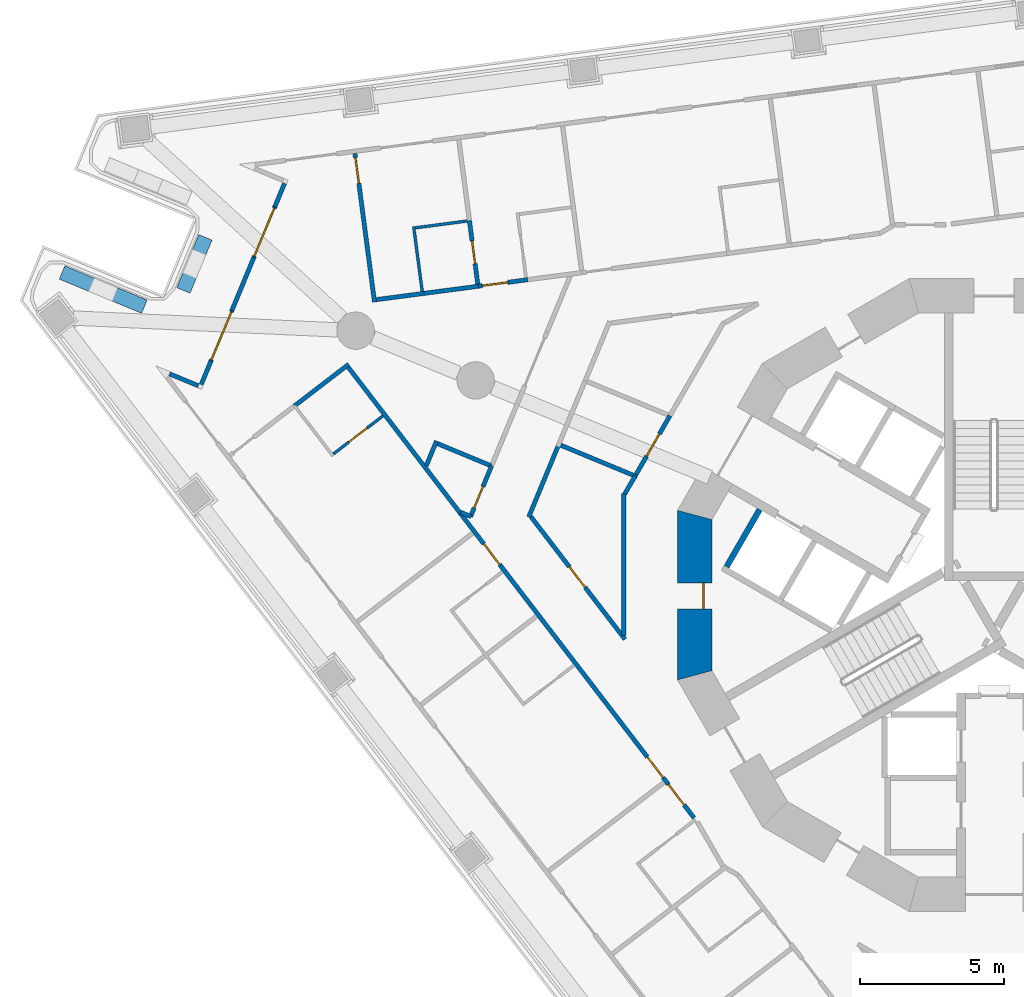
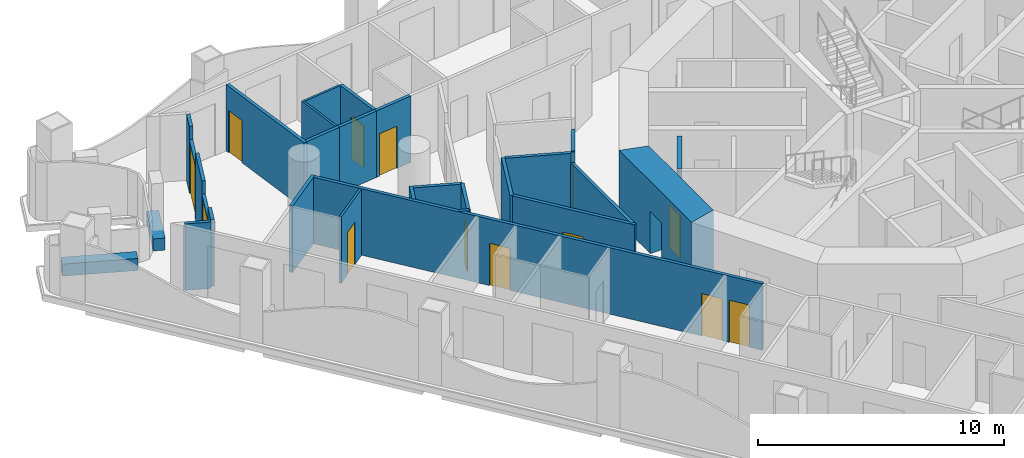
# One storey, part 6 of 19: 30 walls, 13 doors, 13 openings.
"""IFC4 building model written with IfcOpenShell, lengths in metres."""

from ifc_helpers import new_model, si_unit, direction, frame, frame_2d, origin, place, context, subcontext, project, spatial, polyline, rectangle, outline, extrude, material, layer, layer_set, type_object, element, fill, save


model = new_model("IFC4")

# Units and contexts
model_context = context("Model", 3, precision=1e-05, world=origin(), true_north=direction((0.0, 1.0)))
body_context = subcontext(model_context, "Body", "Model", "MODEL_VIEW")
ifc_project = project(units=[si_unit("LENGTHUNIT", "METRE"), si_unit("AREAUNIT", "SQUARE_METRE"), si_unit("VOLUMEUNIT", "CUBIC_METRE"), si_unit("PLANEANGLEUNIT", "RADIAN"), si_unit("MASSUNIT", "GRAM", prefix="KILO")], contexts=[model_context])

# Site, building, storey
site_placement = place(None, origin())
site = spatial("IfcSite", under=ifc_project, at=site_placement, CompositionType="ELEMENT")
building_placement = place(site_placement, origin())
building = spatial("IfcBuilding", under=site, at=building_placement, Name="Trine Commons Tower", CompositionType="ELEMENT")
storey_placement = place(building_placement, frame((0.0, 0.0, 75.60009765625)))
storey = spatial("IfcBuildingStorey", under=building, at=storey_placement, Name="L18", CompositionType="ELEMENT", Elevation=75.60009765625)

# Walls
ifc_material_1 = material(Name="Aluminium-framed insulated wall panel", Category="aluminium")
ifc_layer_1 = layer(ifc_material_1, 0.14990234375)
ifc_layer_set_1 = layer_set([ifc_layer_1], Name="Aluminium-framed insulated wall panel")
wall_type_1 = type_object("IfcWallType", Name="Glazed frame wall 150, EI 60", PredefinedType="SOLIDWALL", material=ifc_layer_set_1)
wall_1_placement = place(storey_placement, frame((51.175537109375, 70.256103515625, 0.0), z_axis=(0.0, 0.0, 1.0), x_axis=(0.923901801611, -0.382629665579, 0.0)))
element("IfcWall", 1, at=wall_1_placement, inside=storey, type_object=wall_type_1, Name="Glazed frame wall R1", PredefinedType="SOLIDWALL", context=body_context, shape_type="SweptSolid", body=[
    extrude(outline(polyline([(0.1494140625, 0.074951171875), (0.1494140625, -0.074951171875), (1.235107421875, -0.074951171875), (1.235107421875, 0.074951171875), (0.1494140625, 0.074951171875)])), origin(), (0.0, 0.0, 1.0), 3.2998046875),
])
wall_2_placement = place(storey_placement, frame((52.372314453125, 69.722412109375, 0.0), z_axis=(0.0, 0.0, 1.0), x_axis=(0.382603377961, 0.923912688068, 0.0)))
element("IfcWall", 2, at=wall_2_placement, inside=storey, type_object=wall_type_1, Name="Glazed frame wall P1.1", PredefinedType="SOLIDWALL", context=body_context, shape_type="SweptSolid", body=[
    extrude(outline(polyline([(0.110107421875, -0.074951171875), (1.0, -0.074951171875), (1.0, 0.074951171875), (0.110107421875, 0.074951171875), (0.110107421875, -0.074951171875)])), origin(), (0.0, 0.0, 1.0), 3.2998046875),
])

# Wall, opening, door
wall_3_placement = place(storey_placement, frame((52.7548828125, 70.646240234375, 0.0), z_axis=(0.0, 0.0, 1.0), x_axis=(0.382771661121, 0.923842982028, 0.0)))
wall_3 = element("IfcWall", 3, at=wall_3_placement, inside=storey, type_object=wall_type_1, Name="Glazed frame wall P1.2", PredefinedType="SOLIDWALL", context=body_context, shape_type="SweptSolid", body=[
    extrude(outline(polyline([(0.0, -0.074951171875), (1.89990234375, -0.074951171875), (1.89990234375, 0.074951171875), (0.0, 0.074951171875), (0.0, -0.074951171875)])), origin(), (0.0, 0.0, 1.0), 2.64990234375),
])
opening_1_placement = place(wall_3_placement, frame((0.050048828125, 0.0, 0.0)))
opening_1 = element("IfcOpeningElement", 4, at=opening_1_placement, cuts=wall_3, Name="Opening BD-2P1-01", PredefinedType="OPENING", context=body_context, shape_type="SweptSolid", body=[
    extrude(rectangle(XDim=1.800048828125, YDim=2.60009765625, at=frame_2d((0.89990234375, 1.300048828125))), frame((0.0, 0.0849609375, 0.0), z_axis=(0.0, -1.0, 0.0), x_axis=(1.0, 0.0, 0.0)), (0.0, 0.0, 1.0), 0.169921875),
])
ifc_material_2 = material(Name="Anodised aluminium frame with double glazing", Category="aluminium")
door_type_1 = type_object("IfcDoorType", Name="Sliding loggia door 1800x2600", OperationType="SLIDING_TO_LEFT", PredefinedType="DOOR", material=ifc_material_2)
door_1_placement = place(opening_1_placement, origin())
door_1 = element("IfcDoor", 5, at=door_1_placement, inside=storey, type_object=door_type_1, Name="Loggia door P1 1", OperationType="SLIDING_TO_LEFT", OverallHeight=2.60009765625, OverallWidth=1.800048828125, PredefinedType="DOOR", context=body_context, shape_type="SweptSolid", body=[
    extrude(rectangle(XDim=1.800048828125, YDim=2.60009765625, at=frame_2d((0.89990234375, 1.300048828125))), frame((0.0, 0.02490234375, 0.0), z_axis=(0.0, -1.0, 0.0), x_axis=(1.0, 0.0, 0.0)), (0.0, 0.0, 1.0), 0.050048828125),
])
fill(opening_1, door_1)

# Wall
wall_4_placement = place(storey_placement, frame((53.482177734375, 72.401611328125, 0.0), z_axis=(0.0, 0.0, 1.0), x_axis=(0.382664423091, 0.923887406181, 0.0)))
element("IfcWall", 6, at=wall_4_placement, inside=storey, type_object=wall_type_1, Name="Glazed frame wall P1.3", PredefinedType="SOLIDWALL", context=body_context, shape_type="SweptSolid", body=[
    extrude(outline(polyline([(0.0, -0.074951171875), (2.0, -0.074951171875), (2.0, 0.074951171875), (0.0, 0.074951171875), (0.0, -0.074951171875)])), origin(), (0.0, 0.0, 1.0), 3.2998046875),
])

# Wall, opening, door
wall_5_placement = place(storey_placement, frame((54.24755859375, 74.24951171875, 0.0), z_axis=(0.0, 0.0, 1.0), x_axis=(0.382661988648, 0.923888414498, 0.0)))
wall_5 = element("IfcWall", 7, at=wall_5_placement, inside=storey, type_object=wall_type_1, Name="Glazed frame wall P1.4", PredefinedType="SOLIDWALL", context=body_context, shape_type="SweptSolid", body=[
    extrude(outline(polyline([(0.0, -0.074951171875), (1.89990234375, -0.074951171875), (1.89990234375, 0.074951171875), (0.0, 0.074951171875), (0.0, -0.074951171875)])), origin(), (0.0, 0.0, 1.0), 2.64990234375),
])
opening_2_placement = place(wall_5_placement, frame((0.050048828125, 0.0, 0.0)))
opening_2 = element("IfcOpeningElement", 8, at=opening_2_placement, cuts=wall_5, Name="Opening BD-2P1-02", PredefinedType="OPENING", context=body_context, shape_type="SweptSolid", body=[
    extrude(rectangle(XDim=1.800048828125, YDim=2.60009765625, at=frame_2d((0.89990234375, 1.300048828125))), frame((0.0, 0.0849609375, 0.0), z_axis=(0.0, -1.0, 0.0), x_axis=(1.0, 0.0, 0.0)), (0.0, 0.0, 1.0), 0.169921875),
])
door_2_placement = place(opening_2_placement, origin())
door_2 = element("IfcDoor", 9, at=door_2_placement, inside=storey, type_object=door_type_1, Name="Loggia door P1 2", OperationType="SLIDING_TO_LEFT", OverallHeight=2.60009765625, OverallWidth=1.800048828125, PredefinedType="DOOR", context=body_context, shape_type="SweptSolid", body=[
    extrude(rectangle(XDim=1.800048828125, YDim=2.60009765625, at=frame_2d((0.89990234375, 1.300048828125))), frame((0.0, 0.02490234375, 0.0), z_axis=(0.0, -1.0, 0.0), x_axis=(1.0, 0.0, 0.0)), (0.0, 0.0, 1.0), 0.050048828125),
])
fill(opening_2, door_2)

# Walls
wall_6_placement = place(storey_placement, frame((54.974609375, 76.0048828125, 0.0), z_axis=(0.0, 0.0, 1.0), x_axis=(0.382811769845, 0.923826362943, 0.0)))
element("IfcWall", 10, at=wall_6_placement, inside=storey, type_object=wall_type_1, Name="Glazed frame wall P1.5", PredefinedType="SOLIDWALL", context=body_context, shape_type="SweptSolid", body=[
    extrude(outline(polyline([(0.889892578125, 0.074951171875), (0.0, 0.074951171875), (0.0, -0.074951171875), (0.889892578125, -0.074951171875), (0.889892578125, 0.074951171875)])), origin(), (0.0, 0.0, 1.0), 3.2998046875),
])
ifc_material_3 = material(Name="Planter trough, precast concrete C40/50", Category="concrete")
ifc_layer_2 = layer(ifc_material_3, 0.5)
ifc_layer_set_2 = layer_set([ifc_layer_2], Name="Planter trough, precast concrete C40/50")
wall_type_2 = type_object("IfcWallType", Name="Planter trough 500x600", PredefinedType="PARAPET", material=ifc_layer_set_2)
wall_7_placement = place(storey_placement, frame((47.5732421875, 73.723388671875, 0.0), z_axis=(0.0, 0.0, 1.0), x_axis=(0.923883411188, -0.382674068277, 0.0)))
element("IfcWall", 11, at=wall_7_placement, inside=storey, type_object=wall_type_2, Name="Planter 1", PredefinedType="PARAPET", context=body_context, shape_type="SweptSolid", body=[
    extrude(rectangle(XDim=3.099853515625, YDim=0.5, at=frame_2d((1.5498046875, 0.0))), origin(), (0.0, 0.0, 1.0), 0.599853515625),
])
wall_8_placement = place(storey_placement, frame((51.796142578125, 73.10009765625, 0.0), z_axis=(0.0, 0.0, 1.0), x_axis=(0.382603377961, 0.923912688068, 0.0)))
element("IfcWall", 12, at=wall_8_placement, inside=storey, type_object=wall_type_2, Name="Planter 2", PredefinedType="PARAPET", context=body_context, shape_type="SweptSolid", body=[
    extrude(rectangle(XDim=1.999755859375, YDim=0.5, at=frame_2d((1.0, 0.0))), origin(), (0.0, 0.0, 1.0), 0.599853515625),
])

# Wall, opening, door
ifc_material_4 = material(Name="Concrete C80/95", Category="concrete")
ifc_layer_3 = layer(ifc_material_4, 1.199951171875)
ifc_layer_set_3 = layer_set([ifc_layer_3], Name="Concrete C80/95")
wall_type_3 = type_object("IfcWallType", Name="RC shear wall 1200 mm, C80/95", PredefinedType="SHEAR", material=ifc_layer_set_3)
wall_9_placement = place(storey_placement, frame((69.58837890625, 65.450439453125, 0.0), z_axis=(0.0, 0.0, 1.0), x_axis=(0.0, -1.0, 0.0)))
wall_9 = element("IfcWall", 13, at=wall_9_placement, inside=storey, type_object=wall_type_3, Name="Core wall CWB-07 L18", PredefinedType="SHEAR", context=body_context, shape_type="SweptSolid", body=[
    extrude(outline(polyline([(0.0, -0.60009765625), (5.90087890625, -0.60009765625), (5.57958984375, 0.60009765625), (0.321533203125, 0.60009765625), (0.0, -0.60009765625)])), origin(), (0.0, 0.0, 1.0), 3.599853515625),
])
opening_3_placement = place(wall_9_placement, frame((2.525390625, 0.0, 0.0)))
opening_3 = element("IfcOpeningElement", 14, at=opening_3_placement, cuts=wall_9, Name="Opening K05.13", PredefinedType="OPENING", context=body_context, shape_type="SweptSolid", body=[
    extrude(rectangle(XDim=0.89990234375, YDim=2.10009765625, at=frame_2d((0.449951171875, 1.050048828125))), frame((0.0, 0.60986328125, 0.0), z_axis=(0.0, -1.0, 0.0), x_axis=(1.0, 0.0, 0.0)), (0.0, 0.0, 1.0), 1.219970703125),
])
ifc_material_5 = material(Name="Steel door leaf, fire-rated", Category="steel")
door_type_2 = type_object("IfcDoorType", Name="Core room door, single leaf 900 x 2100, FD30S", OperationType="SINGLE_SWING_LEFT", PredefinedType="DOOR", material=ifc_material_5)
door_3_placement = place(opening_3_placement, origin())
door_3 = element("IfcDoor", 15, at=door_3_placement, inside=storey, type_object=door_type_2, Name="Door to Pantry L18", OperationType="SINGLE_SWING_RIGHT", OverallHeight=2.10009765625, OverallWidth=0.89990234375, PredefinedType="DOOR", context=body_context, shape_type="SweptSolid", body=[
    extrude(rectangle(XDim=0.89990234375, YDim=2.10009765625, at=frame_2d((0.449951171875, 1.050048828125))), frame((0.0, 0.3251953125, 0.0), z_axis=(0.0, -1.0, 0.0), x_axis=(1.0, 0.0, 0.0)), (0.0, 0.0, 1.0), 0.050048828125),
])
fill(opening_3, door_3)

# Walls
ifc_material_6 = material(Name="Fire-rated gypsum shaft wall system")
ifc_layer_4 = layer(ifc_material_6, 0.199951171875)
ifc_layer_set_4 = layer_set([ifc_layer_4], Name="Fire-rated gypsum shaft wall system")
wall_type_4 = type_object("IfcWallType", Name="Shaft wall 200 mm, EI 120", PredefinedType="PARTITIONING", material=ifc_layer_set_4)
wall_10_placement = place(storey_placement, frame((71.844970703125, 65.47607421875, 0.0), z_axis=(0.0, 0.0, 1.0), x_axis=(-0.500136062276, -0.86594683394, 0.0)))
element("IfcWall", 16, at=wall_10_placement, inside=storey, type_object=wall_type_4, Name="Shaft wall L18", PredefinedType="PARTITIONING", context=body_context, shape_type="SweptSolid", body=[
    extrude(rectangle(XDim=2.299072265625, YDim=0.199951171875, at=frame_2d((1.1494140625, 0.0))), origin(), (0.0, 0.0, 1.0), 3.2998046875),
])
ifc_material_7 = material(Name="Gypsum plasterboard on steel stud", Category="steel")
ifc_layer_5 = layer(ifc_material_7, 0.14990234375)
ifc_layer_set_5 = layer_set([ifc_layer_5], Name="Gypsum plasterboard on steel stud")
wall_type_5 = type_object("IfcWallType", Name="Unit and corridor wall 150 mm, EI 60", PredefinedType="PARTITIONING", material=ifc_layer_set_5)
wall_11_placement = place(storey_placement, frame((55.660888671875, 69.083984375, 0.0), z_axis=(0.0, 0.0, 1.0), x_axis=(0.793348529131, 0.608767698984, 0.0)))
element("IfcWall", 17, at=wall_11_placement, inside=storey, type_object=wall_type_5, Name="Partition 002", PredefinedType="PARTITIONING", context=body_context, shape_type="SweptSolid", body=[
    extrude(rectangle(XDim=2.378173828125, YDim=0.14990234375, at=frame_2d((1.18896484375, 0.0))), origin(), (0.0, 0.0, 1.0), 3.2998046875),
])

# Wall, openings, doors
wall_12_placement = place(storey_placement, frame((57.53369140625, 70.426513671875, 0.0), z_axis=(0.0, 0.0, 1.0), x_axis=(0.608794371867, -0.793328061261, 0.0)))
wall_12 = element("IfcWall", 18, at=wall_12_placement, inside=storey, type_object=wall_type_5, Name="Partition 005", PredefinedType="PARTITIONING", context=body_context, shape_type="SweptSolid", body=[
    extrude(rectangle(XDim=19.75927734375, YDim=0.14990234375, at=frame_2d((9.879638671875, 0.0))), origin(), (0.0, 0.0, 1.0), 3.2998046875),
])
opening_4_placement = place(wall_12_placement, frame((18.293212890625, 0.0, 0.0)))
opening_4 = element("IfcOpeningElement", 19, at=opening_4_placement, cuts=wall_12, Name="Opening D-2C29", PredefinedType="OPENING", context=body_context, shape_type="SweptSolid", body=[
    extrude(rectangle(XDim=0.89990234375, YDim=2.10009765625, at=frame_2d((0.449951171875, 1.050048828125))), frame((0.0, 0.0849609375, 0.0), z_axis=(0.0, -1.0, 0.0), x_axis=(1.0, 0.0, 0.0)), (0.0, 0.0, 1.0), 0.169921875),
])
opening_5_placement = place(wall_12_placement, frame((17.093017578125, 0.0, 0.0)))
opening_5 = element("IfcOpeningElement", 20, at=opening_5_placement, cuts=wall_12, Name="Opening D-2C30", PredefinedType="OPENING", context=body_context, shape_type="SweptSolid", body=[
    extrude(rectangle(XDim=0.89990234375, YDim=2.10009765625, at=frame_2d((0.449951171875, 1.050048828125))), frame((0.0, 0.0849609375, 0.0), z_axis=(0.0, -1.0, 0.0), x_axis=(1.0, 0.0, 0.0)), (0.0, 0.0, 1.0), 0.169921875),
])
opening_6_placement = place(wall_12_placement, frame((7.747802734375, 0.0, 0.0)))
opening_6 = element("IfcOpeningElement", 21, at=opening_6_placement, cuts=wall_12, Name="Opening D-2C31", PredefinedType="OPENING", context=body_context, shape_type="SweptSolid", body=[
    extrude(rectangle(XDim=0.89990234375, YDim=2.10009765625, at=frame_2d((0.449951171875, 1.050048828125))), frame((0.0, 0.0849609375, 0.0), z_axis=(0.0, -1.0, 0.0), x_axis=(1.0, 0.0, 0.0)), (0.0, 0.0, 1.0), 0.169921875),
])
ifc_material_8 = material(Name="Timber fire door set", Category="wood")
door_type_3 = type_object("IfcDoorType", Name="Bedroom door 900 x 2100, FD30S", OperationType="NOTDEFINED", PredefinedType="DOOR", material=ifc_material_8)
door_4_placement = place(opening_4_placement, frame((0.89990234375, 0.0, 0.0), z_axis=(0.0, 0.0, 1.0), x_axis=(-1.0, 0.0, 0.0)))
door_4 = element("IfcDoor", 22, at=door_4_placement, inside=storey, type_object=door_type_3, Name="Door D-2C29", OperationType="SINGLE_SWING_LEFT", OverallHeight=2.10009765625, OverallWidth=0.89990234375, PredefinedType="DOOR", context=body_context, shape_type="SweptSolid", body=[
    extrude(rectangle(XDim=0.89990234375, YDim=2.10009765625, at=frame_2d((0.449951171875, 1.050048828125))), frame((0.0, 0.02490234375, 0.0), z_axis=(0.0, -1.0, 0.0), x_axis=(1.0, 0.0, 0.0)), (0.0, 0.0, 1.0), 0.050048828125),
])
fill(opening_4, door_4)
door_5_placement = place(opening_5_placement, frame((0.89990234375, 0.0, 0.0), z_axis=(0.0, 0.0, 1.0), x_axis=(-1.0, 0.0, 0.0)))
door_5 = element("IfcDoor", 23, at=door_5_placement, inside=storey, type_object=door_type_3, Name="Door D-2C30", OperationType="SINGLE_SWING_LEFT", OverallHeight=2.10009765625, OverallWidth=0.89990234375, PredefinedType="DOOR", context=body_context, shape_type="SweptSolid", body=[
    extrude(rectangle(XDim=0.89990234375, YDim=2.10009765625, at=frame_2d((0.449951171875, 1.050048828125))), frame((0.0, 0.02490234375, 0.0), z_axis=(0.0, -1.0, 0.0), x_axis=(1.0, 0.0, 0.0)), (0.0, 0.0, 1.0), 0.050048828125),
])
fill(opening_5, door_5)
door_6_placement = place(opening_6_placement, frame((0.89990234375, 0.0, 0.0), z_axis=(0.0, 0.0, 1.0), x_axis=(-1.0, 0.0, 0.0)))
door_6 = element("IfcDoor", 24, at=door_6_placement, inside=storey, type_object=door_type_3, Name="Door D-2C31", OperationType="SINGLE_SWING_RIGHT", OverallHeight=2.10009765625, OverallWidth=0.89990234375, PredefinedType="DOOR", context=body_context, shape_type="SweptSolid", body=[
    extrude(rectangle(XDim=0.89990234375, YDim=2.10009765625, at=frame_2d((0.449951171875, 1.050048828125))), frame((0.0, 0.02490234375, 0.0), z_axis=(0.0, -1.0, 0.0), x_axis=(1.0, 0.0, 0.0)), (0.0, 0.0, 1.0), 0.050048828125),
])
fill(opening_6, door_6)

# Wall, opening, door
wall_13_placement = place(storey_placement, frame((57.76416015625, 77.8662109375, 0.0), z_axis=(0.0, 0.0, 1.0), x_axis=(0.130538083061, -0.991443295842, 0.0)))
wall_13 = element("IfcWall", 25, at=wall_13_placement, inside=storey, type_object=wall_type_5, Name="Partition 006", PredefinedType="PARTITIONING", context=body_context, shape_type="SweptSolid", body=[
    extrude(rectangle(XDim=5.21435546875, YDim=0.14990234375, at=frame_2d((2.607177734375, 0.0))), origin(), (0.0, 0.0, 1.0), 3.2998046875),
])
opening_7_placement = place(wall_13_placement, frame((0.14990234375, 0.0, 0.0)))
opening_7 = element("IfcOpeningElement", 26, at=opening_7_placement, cuts=wall_13, Name="Opening D-2C07", PredefinedType="OPENING", context=body_context, shape_type="SweptSolid", body=[
    extrude(rectangle(XDim=0.89990234375, YDim=2.10009765625, at=frame_2d((0.449951171875, 1.050048828125))), frame((0.0, 0.0849609375, 0.0), z_axis=(0.0, -1.0, 0.0), x_axis=(1.0, 0.0, 0.0)), (0.0, 0.0, 1.0), 0.169921875),
])
door_7_placement = place(opening_7_placement, origin())
door_7 = element("IfcDoor", 27, at=door_7_placement, inside=storey, type_object=door_type_3, Name="Door D-2C07", OperationType="SINGLE_SWING_LEFT", OverallHeight=2.10009765625, OverallWidth=0.89990234375, PredefinedType="DOOR", context=body_context, shape_type="SweptSolid", body=[
    extrude(rectangle(XDim=0.89990234375, YDim=2.10009765625, at=frame_2d((0.449951171875, 1.050048828125))), frame((0.0, 0.02490234375, 0.0), z_axis=(0.0, -1.0, 0.0), x_axis=(1.0, 0.0, 0.0)), (0.0, 0.0, 1.0), 0.050048828125),
])
fill(opening_7, door_7)

# Walls
wall_14_placement = place(storey_placement, frame((58.509521484375, 72.78076171875, 0.0), z_axis=(0.0, 0.0, 1.0), x_axis=(0.99149595725, 0.13013749174, 0.0)))
element("IfcWall", 28, at=wall_14_placement, inside=storey, type_object=wall_type_5, Name="Partition 008", PredefinedType="PARTITIONING", context=body_context, shape_type="SweptSolid", body=[
    extrude(rectangle(XDim=1.67333984375, YDim=0.14990234375, at=frame_2d((0.836669921875, 0.0))), origin(), (0.0, 0.0, 1.0), 3.2998046875),
])
wall_15_placement = place(storey_placement, frame((60.111083984375, 72.990966796875, 0.0), z_axis=(0.0, 0.0, 1.0), x_axis=(0.991437274098, 0.130583810365, 0.0)))
element("IfcWall", 29, at=wall_15_placement, inside=storey, type_object=wall_type_5, Name="Partition 012", PredefinedType="PARTITIONING", context=body_context, shape_type="SweptSolid", body=[
    extrude(rectangle(XDim=1.953857421875, YDim=0.14990234375, at=frame_2d((0.97705078125, 0.0))), origin(), (0.0, 0.0, 1.0), 3.2998046875),
])
wall_16_placement = place(storey_placement, frame((60.24560546875, 67.000244140625, 0.0), z_axis=(0.0, 0.0, 1.0), x_axis=(0.383080061035, 0.923715143774, 0.0)))
element("IfcWall", 30, at=wall_16_placement, inside=storey, type_object=wall_type_5, Name="Partition 013", PredefinedType="PARTITIONING", context=body_context, shape_type="SweptSolid", body=[
    extrude(rectangle(XDim=0.9375, YDim=0.14990234375, at=frame_2d((0.46875, 0.0))), origin(), (0.0, 0.0, 1.0), 3.2998046875),
])
wall_17_placement = place(storey_placement, frame((60.645263671875, 67.768310546875, 0.0), z_axis=(0.0, 0.0, 1.0), x_axis=(0.923799320148, -0.382877024767, 0.0)))
element("IfcWall", 31, at=wall_17_placement, inside=storey, type_object=wall_type_5, Name="Partition 014", PredefinedType="PARTITIONING", context=body_context, shape_type="SweptSolid", body=[
    extrude(rectangle(XDim=2.025146484375, YDim=0.14990234375, at=frame_2d((1.0126953125, 0.0))), origin(), (0.0, 0.0, 1.0), 3.2998046875),
])
wall_18_placement = place(storey_placement, frame((61.43896484375, 65.38330078125, 0.0), z_axis=(0.0, 0.0, 1.0), x_axis=(0.923599819829, -0.383358021714, 0.0)))
element("IfcWall", 32, at=wall_18_placement, inside=storey, type_object=wall_type_5, Name="Partition 018", PredefinedType="PARTITIONING", context=body_context, shape_type="SweptSolid", body=[
    extrude(rectangle(XDim=0.39990234375, YDim=0.14990234375, at=frame_2d((0.199951171875, 0.0))), origin(), (0.0, 0.0, 1.0), 3.2998046875),
])

# Wall, opening, door
wall_19_placement = place(storey_placement, frame((61.748046875, 75.527099609375, 0.0), z_axis=(0.0, 0.0, 1.0), x_axis=(0.130309803154, -0.991473325512, 0.0)))
wall_19 = element("IfcWall", 33, at=wall_19_placement, inside=storey, type_object=wall_type_5, Name="Partition 019", PredefinedType="PARTITIONING", context=body_context, shape_type="SweptSolid", body=[
    extrude(rectangle(XDim=2.225830078125, YDim=0.14990234375, at=frame_2d((1.11279296875, 0.0))), origin(), (0.0, 0.0, 1.0), 3.2998046875),
])
opening_8_placement = place(wall_19_placement, frame((0.712890625, 0.0, 0.0)))
opening_8 = element("IfcOpeningElement", 34, at=opening_8_placement, cuts=wall_19, Name="Opening D-2C42", PredefinedType="OPENING", context=body_context, shape_type="SweptSolid", body=[
    extrude(rectangle(XDim=0.800048828125, YDim=2.10009765625, at=frame_2d((0.39990234375, 1.050048828125))), frame((0.0, 0.0849609375, 0.0), z_axis=(0.0, -1.0, 0.0), x_axis=(1.0, 0.0, 0.0)), (0.0, 0.0, 1.0), 0.169921875),
])
ifc_material_9 = material(Name="Painted timber", Category="wood")
door_type_4 = type_object("IfcDoorType", Name="Internal door 800 x 2100, NOT RATED", OperationType="NOTDEFINED", PredefinedType="DOOR", material=ifc_material_9)
door_8_placement = place(opening_8_placement, origin())
door_8 = element("IfcDoor", 35, at=door_8_placement, inside=storey, type_object=door_type_4, Name="Door D-2C42", OperationType="SINGLE_SWING_LEFT", OverallHeight=2.10009765625, OverallWidth=0.800048828125, PredefinedType="DOOR", context=body_context, shape_type="SweptSolid", body=[
    extrude(rectangle(XDim=0.800048828125, YDim=2.10009765625, at=frame_2d((0.39990234375, 1.050048828125))), frame((0.0, 0.02490234375, 0.0), z_axis=(0.0, -1.0, 0.0), x_axis=(1.0, 0.0, 0.0)), (0.0, 0.0, 1.0), 0.050048828125),
])
fill(opening_8, door_8)

wall_20_placement = place(storey_placement, frame((61.787109375, 65.23388671875, 0.0), z_axis=(0.0, 0.0, 1.0), x_axis=(0.38314285934, 0.923689097769, 0.0)))
wall_20 = element("IfcWall", 36, at=wall_20_placement, inside=storey, type_object=wall_type_5, Name="Partition 020", PredefinedType="PARTITIONING", context=body_context, shape_type="SweptSolid", body=[
    extrude(rectangle(XDim=1.90771484375, YDim=0.14990234375, at=frame_2d((0.953857421875, 0.0))), origin(), (0.0, 0.0, 1.0), 3.2998046875),
])
opening_9_placement = place(wall_20_placement, frame((0.328125, 0.0, 0.0)))
opening_9 = element("IfcOpeningElement", 37, at=opening_9_placement, cuts=wall_20, Name="Opening D-2C06", PredefinedType="OPENING", context=body_context, shape_type="SweptSolid", body=[
    extrude(rectangle(XDim=0.800048828125, YDim=2.10009765625, at=frame_2d((0.39990234375, 1.050048828125))), frame((0.0, 0.0849609375, 0.0), z_axis=(0.0, -1.0, 0.0), x_axis=(1.0, 0.0, 0.0)), (0.0, 0.0, 1.0), 0.169921875),
])
door_type_5 = type_object("IfcDoorType", Name="Toilet door 800 x 2100, NOT RATED", OperationType="NOTDEFINED", PredefinedType="DOOR", material=ifc_material_9)
door_9_placement = place(opening_9_placement, origin())
door_9 = element("IfcDoor", 38, at=door_9_placement, inside=storey, type_object=door_type_5, Name="Door D-2C06", OperationType="SINGLE_SWING_LEFT", OverallHeight=2.10009765625, OverallWidth=0.800048828125, PredefinedType="DOOR", context=body_context, shape_type="SweptSolid", body=[
    extrude(rectangle(XDim=0.800048828125, YDim=2.10009765625, at=frame_2d((0.39990234375, 1.050048828125))), frame((0.0, 0.02490234375, 0.0), z_axis=(0.0, -1.0, 0.0), x_axis=(1.0, 0.0, 0.0)), (0.0, 0.0, 1.0), 0.050048828125),
])
fill(opening_9, door_9)

wall_21_placement = place(storey_placement, frame((62.048095703125, 73.24609375, 0.0), z_axis=(0.0, 0.0, 1.0), x_axis=(0.991412396829, 0.130772548398, 0.0)))
wall_21 = element("IfcWall", 39, at=wall_21_placement, inside=storey, type_object=wall_type_5, Name="Partition 021", PredefinedType="PARTITIONING", context=body_context, shape_type="SweptSolid", body=[
    extrude(rectangle(XDim=1.747314453125, YDim=0.14990234375, at=frame_2d((0.87353515625, 0.0))), origin(), (0.0, 0.0, 1.0), 3.2998046875),
])
opening_10_placement = place(wall_21_placement, frame((0.14990234375, 0.0, 0.0)))
opening_10 = element("IfcOpeningElement", 40, at=opening_10_placement, cuts=wall_21, Name="Opening D-2C08", PredefinedType="OPENING", context=body_context, shape_type="SweptSolid", body=[
    extrude(rectangle(XDim=0.89990234375, YDim=2.10009765625, at=frame_2d((0.449951171875, 1.050048828125))), frame((0.0, 0.0849609375, 0.0), z_axis=(0.0, -1.0, 0.0), x_axis=(1.0, 0.0, 0.0)), (0.0, 0.0, 1.0), 0.169921875),
])
door_10_placement = place(opening_10_placement, origin())
door_10 = element("IfcDoor", 41, at=door_10_placement, inside=storey, type_object=door_type_3, Name="Door D-2C08", OperationType="SINGLE_SWING_LEFT", OverallHeight=2.10009765625, OverallWidth=0.89990234375, PredefinedType="DOOR", context=body_context, shape_type="SweptSolid", body=[
    extrude(rectangle(XDim=0.89990234375, YDim=2.10009765625, at=frame_2d((0.449951171875, 1.050048828125))), frame((0.0, 0.02490234375, 0.0), z_axis=(0.0, -1.0, 0.0), x_axis=(1.0, 0.0, 0.0)), (0.0, 0.0, 1.0), 0.050048828125),
])
fill(opening_10, door_10)

# Wall
wall_22_placement = place(storey_placement, frame((63.811279296875, 65.2197265625, 0.0), z_axis=(0.0, 0.0, 1.0), x_axis=(0.382485754441, 0.923961388614, 0.0)))
element("IfcWall", 42, at=wall_22_placement, inside=storey, type_object=wall_type_5, Name="Partition 027", PredefinedType="PARTITIONING", context=body_context, shape_type="SweptSolid", body=[
    extrude(rectangle(XDim=2.736328125, YDim=0.14990234375, at=frame_2d((1.3681640625, 0.0))), origin(), (0.0, 0.0, 1.0), 3.2998046875),
])

# Wall, opening, door
wall_23_placement = place(storey_placement, frame((63.8857421875, 65.2294921875, 0.0), z_axis=(0.0, 0.0, 1.0), x_axis=(0.608696503356, -0.793403155276, 0.0)))
wall_23 = element("IfcWall", 43, at=wall_23_placement, inside=storey, type_object=wall_type_5, Name="Partition 028", PredefinedType="PARTITIONING", context=body_context, shape_type="SweptSolid", body=[
    extrude(rectangle(XDim=5.376953125, YDim=0.14990234375, at=frame_2d((2.6884765625, 0.0))), origin(), (0.0, 0.0, 1.0), 3.2998046875),
])
opening_11_placement = place(wall_23_placement, frame((2.200927734375, 0.0, 0.0)))
opening_11 = element("IfcOpeningElement", 44, at=opening_11_placement, cuts=wall_23, Name="Opening D-2C33", PredefinedType="OPENING", context=body_context, shape_type="SweptSolid", body=[
    extrude(rectangle(XDim=0.89990234375, YDim=2.10009765625, at=frame_2d((0.449951171875, 1.050048828125))), frame((0.0, 0.0849609375, 0.0), z_axis=(0.0, -1.0, 0.0), x_axis=(1.0, 0.0, 0.0)), (0.0, 0.0, 1.0), 0.169921875),
])
door_type_6 = type_object("IfcDoorType", Name="Service door 900 x 2100, FD30S", OperationType="NOTDEFINED", PredefinedType="DOOR", material=ifc_material_8)
door_11_placement = place(opening_11_placement, origin())
door_11 = element("IfcDoor", 45, at=door_11_placement, inside=storey, type_object=door_type_6, Name="Door D-2C33", OperationType="SINGLE_SWING_LEFT", OverallHeight=2.10009765625, OverallWidth=0.89990234375, PredefinedType="DOOR", context=body_context, shape_type="SweptSolid", body=[
    extrude(rectangle(XDim=0.89990234375, YDim=2.10009765625, at=frame_2d((0.449951171875, 1.050048828125))), frame((0.0, 0.02490234375, 0.0), z_axis=(0.0, -1.0, 0.0), x_axis=(1.0, 0.0, 0.0)), (0.0, 0.0, 1.0), 0.050048828125),
])
fill(opening_11, door_11)

# Walls
wall_24_placement = place(storey_placement, frame((64.92626953125, 67.71533203125, 0.0), z_axis=(0.0, 0.0, 1.0), x_axis=(0.923886418472, -0.382666807761, 0.0)))
element("IfcWall", 46, at=wall_24_placement, inside=storey, type_object=wall_type_5, Name="Partition 032", PredefinedType="PARTITIONING", context=body_context, shape_type="SweptSolid", body=[
    extrude(rectangle(XDim=2.874755859375, YDim=0.14990234375, at=frame_2d((1.4375, 0.0))), origin(), (0.0, 0.0, 1.0), 3.2998046875),
])
wall_25_placement = place(storey_placement, frame((67.113037109375, 61.093994140625, 0.0), z_axis=(0.0, 0.0, 1.0), x_axis=(0.0, 1.0, 0.0)))
element("IfcWall", 47, at=wall_25_placement, inside=storey, type_object=wall_type_5, Name="Partition 039", PredefinedType="PARTITIONING", context=body_context, shape_type="SweptSolid", body=[
    extrude(rectangle(XDim=4.93408203125, YDim=0.14990234375, at=frame_2d((2.467041015625, 0.0))), origin(), (0.0, 0.0, 1.0), 3.2998046875),
])
wall_26_placement = place(storey_placement, frame((67.150390625, 66.01806640625, 0.0), z_axis=(0.0, 0.0, 1.0), x_axis=(0.499858068882, 0.866107332248, 0.0)))
element("IfcWall", 48, at=wall_26_placement, inside=storey, type_object=wall_type_5, Name="Partition 040", PredefinedType="PARTITIONING", context=body_context, shape_type="SweptSolid", body=[
    extrude(rectangle(XDim=0.727294921875, YDim=0.14990234375, at=frame_2d((0.36376953125, 0.0))), origin(), (0.0, 0.0, 1.0), 3.2998046875),
])

# Wall, opening, door
wall_27_placement = place(storey_placement, frame((67.547607421875, 66.704833984375, 0.0), z_axis=(0.0, 0.0, 1.0), x_axis=(0.500075472253, 0.865981825474, 0.0)))
wall_27 = element("IfcWall", 49, at=wall_27_placement, inside=storey, type_object=wall_type_5, Name="Partition 041", PredefinedType="PARTITIONING", context=body_context, shape_type="SweptSolid", body=[
    extrude(rectangle(XDim=2.354736328125, YDim=0.14990234375, at=frame_2d((1.17724609375, 0.0))), origin(), (0.0, 0.0, 1.0), 2.75),
])
opening_12_placement = place(wall_27_placement, frame((0.7255859375, 0.0, 0.0)))
opening_12 = element("IfcOpeningElement", 50, at=opening_12_placement, cuts=wall_27, Name="Opening D-2C39", PredefinedType="OPENING", context=body_context, shape_type="SweptSolid", body=[
    extrude(rectangle(XDim=0.89990234375, YDim=2.10009765625, at=frame_2d((0.449951171875, 1.050048828125))), frame((0.0, 0.0849609375, 0.0), z_axis=(0.0, -1.0, 0.0), x_axis=(1.0, 0.0, 0.0)), (0.0, 0.0, 1.0), 0.169921875),
])
door_12_placement = place(opening_12_placement, origin())
door_12 = element("IfcDoor", 51, at=door_12_placement, inside=storey, type_object=door_type_6, Name="Door D-2C39", OperationType="SINGLE_SWING_LEFT", OverallHeight=2.10009765625, OverallWidth=0.89990234375, PredefinedType="DOOR", context=body_context, shape_type="SweptSolid", body=[
    extrude(rectangle(XDim=0.89990234375, YDim=2.10009765625, at=frame_2d((0.449951171875, 1.050048828125))), frame((0.0, 0.02490234375, 0.0), z_axis=(0.0, -1.0, 0.0), x_axis=(1.0, 0.0, 0.0)), (0.0, 0.0, 1.0), 0.050048828125),
])
fill(opening_12, door_12)

ifc_layer_6 = layer(ifc_material_7, 0.10009765625)
ifc_layer_set_6 = layer_set([ifc_layer_6], Name="Gypsum plasterboard on steel stud")
wall_type_6 = type_object("IfcWallType", Name="Unit partition 100 mm, no rating", PredefinedType="PARTITIONING", material=ifc_layer_set_6)
wall_28_placement = place(storey_placement, frame((57.0126953125, 67.410400390625, 0.0), z_axis=(0.0, 0.0, 1.0), x_axis=(0.793036915689, 0.609173579823, 0.0)))
wall_28 = element("IfcWall", 52, at=wall_28_placement, inside=storey, type_object=wall_type_6, Name="Partition 004", PredefinedType="PARTITIONING", context=body_context, shape_type="SweptSolid", body=[
    extrude(rectangle(XDim=2.175048828125, YDim=0.10009765625, at=frame_2d((1.08740234375, 0.0))), origin(), (0.0, 0.0, 1.0), 3.2998046875),
])
opening_13_placement = place(wall_28_placement, frame((0.6875, 0.0, 0.0)))
opening_13 = element("IfcOpeningElement", 53, at=opening_13_placement, cuts=wall_28, Name="Opening D-2C64", PredefinedType="OPENING", context=body_context, shape_type="SweptSolid", body=[
    extrude(rectangle(XDim=0.800048828125, YDim=2.10009765625, at=frame_2d((0.39990234375, 1.050048828125))), frame((0.0, 0.06005859375, 0.0), z_axis=(0.0, -1.0, 0.0), x_axis=(1.0, 0.0, 0.0)), (0.0, 0.0, 1.0), 0.1201171875),
])
door_13_placement = place(opening_13_placement, frame((0.800048828125, 0.0, 0.0), z_axis=(0.0, 0.0, 1.0), x_axis=(-1.0, 0.0, 0.0)))
door_13 = element("IfcDoor", 54, at=door_13_placement, inside=storey, type_object=door_type_4, Name="Door D-2C64", OperationType="SINGLE_SWING_LEFT", OverallHeight=2.10009765625, OverallWidth=0.800048828125, PredefinedType="DOOR", context=body_context, shape_type="SweptSolid", body=[
    extrude(rectangle(XDim=0.800048828125, YDim=2.10009765625, at=frame_2d((0.39990234375, 1.050048828125))), frame((0.0, 0.02490234375, 0.0), z_axis=(0.0, -1.0, 0.0), x_axis=(1.0, 0.0, 0.0)), (0.0, 0.0, 1.0), 0.050048828125),
])
fill(opening_13, door_13)

# Walls
wall_29_placement = place(storey_placement, frame((59.8076171875, 75.321533203125, 0.0), z_axis=(0.0, 0.0, 1.0), x_axis=(0.13083486939, -0.991404174367, 0.0)))
element("IfcWall", 55, at=wall_29_placement, inside=storey, type_object=wall_type_6, Name="Partition 009", PredefinedType="PARTITIONING", context=body_context, shape_type="SweptSolid", body=[
    extrude(rectangle(XDim=2.274658203125, YDim=0.10009765625, at=frame_2d((1.13720703125, 0.0))), origin(), (0.0, 0.0, 1.0), 3.2998046875),
])
wall_30_placement = place(storey_placement, frame((59.863525390625, 75.278564453125, 0.0), z_axis=(0.0, 0.0, 1.0), x_axis=(0.991428788066, 0.130648223083, 0.0)))
element("IfcWall", 56, at=wall_30_placement, inside=storey, type_object=wall_type_6, Name="Partition 010", PredefinedType="PARTITIONING", context=body_context, shape_type="SweptSolid", body=[
    extrude(rectangle(XDim=1.82568359375, YDim=0.10009765625, at=frame_2d((0.912841796875, 0.0))), origin(), (0.0, 0.0, 1.0), 3.2998046875),
])

save(model, "model.ifc")
